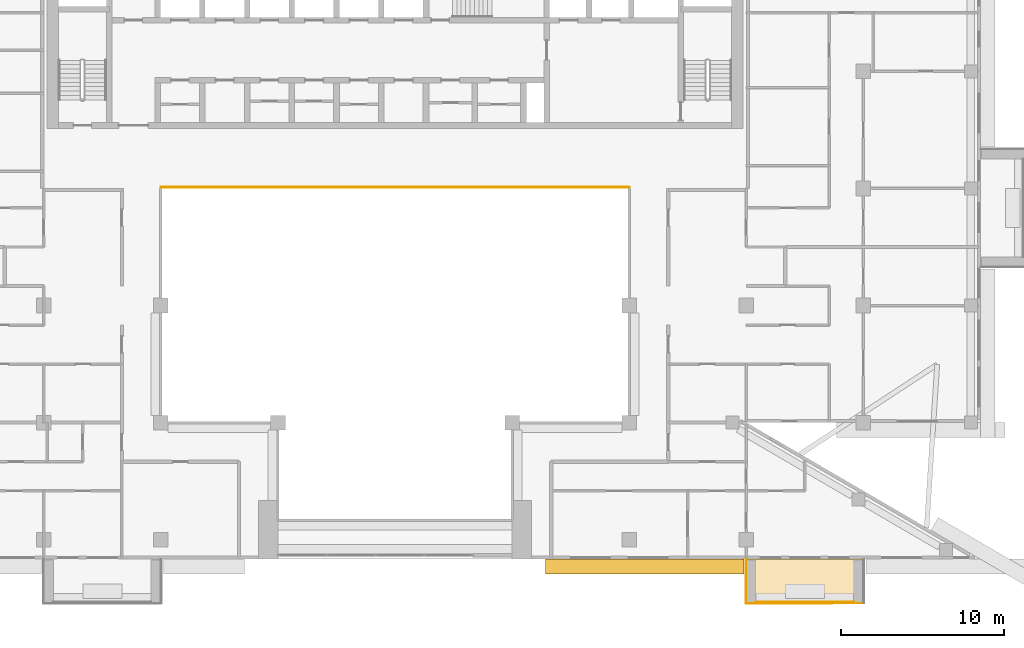
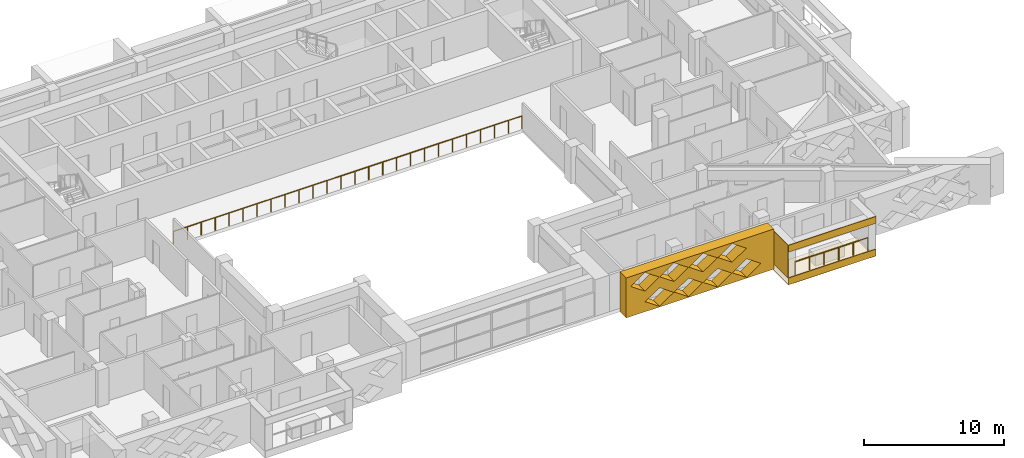
# One storey, part 16 of 20: 5 coverings, 2 railings.
"""IFC4 building model written with IfcOpenShell, lengths in metres."""

from ifc_helpers import new_model, si_unit, direction, frame, origin, origin_2d, place, context, subcontext, project, spatial, polyline, circle, outline, extrude, material, layer, layer_set, type_object, element, save


model = new_model("IFC4")

# Units and contexts
model_context = context("Model", 3, precision=1e-05, world=origin(), true_north=direction((0.0, 1.0)))
body_context = subcontext(model_context, "Body", "Model", "MODEL_VIEW")
ifc_project = project(units=[si_unit("LENGTHUNIT", "METRE"), si_unit("AREAUNIT", "SQUARE_METRE"), si_unit("VOLUMEUNIT", "CUBIC_METRE"), si_unit("PLANEANGLEUNIT", "RADIAN"), si_unit("MASSUNIT", "GRAM", prefix="KILO")], contexts=[model_context])

# Site, building, storey
site_placement = place(None, origin())
site = spatial("IfcSite", under=ifc_project, at=site_placement, CompositionType="ELEMENT")
building_placement = place(site_placement, origin())
building = spatial("IfcBuilding", under=site, at=building_placement, Name="Saffron Iwan Residences", CompositionType="ELEMENT")
storey_placement = place(building_placement, frame((0.0, 0.0, 178.0)))
storey = spatial("IfcBuildingStorey", under=building, at=storey_placement, Name="L47", CompositionType="ELEMENT", Elevation=178.0)

# Railings
ifc_material_1 = material(Name="Stainless steel 316", Category="steel")
railing_type_1 = type_object("IfcRailingType", Name="Atrium guard 1150", PredefinedType="GUARDRAIL", material=ifc_material_1)
railing_1_placement = place(storey_placement, frame((36.0, 62.47509765625, 0.0)))
element("IfcRailing", 1, at=railing_1_placement, inside=storey, type_object=railing_type_1, Name="Atrium guard L47", PredefinedType="GUARDRAIL", context=body_context, shape_type="SweptSolid", body=[
    extrude(circle(Radius=0.02392578125, at=origin_2d()), frame((0.0, 0.0, 1.1259765625), z_axis=(1.0, 0.0, 0.0), x_axis=(0.0, 1.0, 0.0)), (0.0, 0.0, 1.0), 28.800048828125),
    extrude(circle(Radius=0.02099609375, at=origin_2d()), origin(), (0.0, 0.0, 1.0), 1.101806640625),
    extrude(circle(Radius=0.02099609375, at=origin_2d()), frame((1.152099609375, 0.0, 0.0)), (0.0, 0.0, 1.0), 1.101806640625),
    extrude(circle(Radius=0.02099609375, at=origin_2d()), frame((2.303955078125, 0.0, 0.0)), (0.0, 0.0, 1.0), 1.101806640625),
    extrude(circle(Radius=0.02099609375, at=origin_2d()), frame((3.4560546875, 0.0, 0.0)), (0.0, 0.0, 1.0), 1.101806640625),
    extrude(circle(Radius=0.02099609375, at=origin_2d()), frame((4.60791015625, 0.0, 0.0)), (0.0, 0.0, 1.0), 1.101806640625),
    extrude(circle(Radius=0.02099609375, at=origin_2d()), frame((5.760009765625, 0.0, 0.0)), (0.0, 0.0, 1.0), 1.101806640625),
    extrude(circle(Radius=0.02099609375, at=origin_2d()), frame((6.912109375, 0.0, 0.0)), (0.0, 0.0, 1.0), 1.101806640625),
    extrude(circle(Radius=0.02099609375, at=origin_2d()), frame((8.06396484375, 0.0, 0.0)), (0.0, 0.0, 1.0), 1.101806640625),
    extrude(circle(Radius=0.02099609375, at=origin_2d()), frame((9.216064453125, 0.0, 0.0)), (0.0, 0.0, 1.0), 1.101806640625),
    extrude(circle(Radius=0.02099609375, at=origin_2d()), frame((10.367919921875, 0.0, 0.0)), (0.0, 0.0, 1.0), 1.101806640625),
    extrude(circle(Radius=0.02099609375, at=origin_2d()), frame((11.52001953125, 0.0, 0.0)), (0.0, 0.0, 1.0), 1.101806640625),
    extrude(circle(Radius=0.02099609375, at=origin_2d()), frame((12.672119140625, 0.0, 0.0)), (0.0, 0.0, 1.0), 1.101806640625),
    extrude(circle(Radius=0.02099609375, at=origin_2d()), frame((13.823974609375, 0.0, 0.0)), (0.0, 0.0, 1.0), 1.101806640625),
    extrude(circle(Radius=0.02099609375, at=origin_2d()), frame((14.97607421875, 0.0, 0.0)), (0.0, 0.0, 1.0), 1.101806640625),
    extrude(circle(Radius=0.02099609375, at=origin_2d()), frame((16.1279296875, 0.0, 0.0)), (0.0, 0.0, 1.0), 1.101806640625),
    extrude(circle(Radius=0.02099609375, at=origin_2d()), frame((17.280029296875, 0.0, 0.0)), (0.0, 0.0, 1.0), 1.101806640625),
    extrude(circle(Radius=0.02099609375, at=origin_2d()), frame((18.43212890625, 0.0, 0.0)), (0.0, 0.0, 1.0), 1.101806640625),
    extrude(circle(Radius=0.02099609375, at=origin_2d()), frame((19.583984375, 0.0, 0.0)), (0.0, 0.0, 1.0), 1.101806640625),
    extrude(circle(Radius=0.02099609375, at=origin_2d()), frame((20.736083984375, 0.0, 0.0)), (0.0, 0.0, 1.0), 1.101806640625),
    extrude(circle(Radius=0.02099609375, at=origin_2d()), frame((21.887939453125, 0.0, 0.0)), (0.0, 0.0, 1.0), 1.101806640625),
    extrude(circle(Radius=0.02099609375, at=origin_2d()), frame((23.0400390625, 0.0, 0.0)), (0.0, 0.0, 1.0), 1.101806640625),
    extrude(circle(Radius=0.02099609375, at=origin_2d()), frame((24.192138671875, 0.0, 0.0)), (0.0, 0.0, 1.0), 1.101806640625),
    extrude(circle(Radius=0.02099609375, at=origin_2d()), frame((25.343994140625, 0.0, 0.0)), (0.0, 0.0, 1.0), 1.101806640625),
    extrude(circle(Radius=0.02099609375, at=origin_2d()), frame((26.49609375, 0.0, 0.0)), (0.0, 0.0, 1.0), 1.101806640625),
    extrude(circle(Radius=0.02099609375, at=origin_2d()), frame((27.64794921875, 0.0, 0.0)), (0.0, 0.0, 1.0), 1.101806640625),
    extrude(circle(Radius=0.02099609375, at=origin_2d()), frame((28.800048828125, 0.0, 0.0)), (0.0, 0.0, 1.0), 1.101806640625),
])
railing_type_2 = type_object("IfcRailingType", Name="BALCONY GUARD 1150", PredefinedType="GUARDRAIL", material=ifc_material_1)
railing_2_placement = place(storey_placement, frame((72.60009765625, 36.97509765625, 0.0)))
element("IfcRailing", 2, at=railing_2_placement, inside=storey, type_object=railing_type_2, Name="Balcony guard L47 11-1", PredefinedType="GUARDRAIL", context=body_context, shape_type="SweptSolid", body=[
    extrude(circle(Radius=0.02392578125, at=origin_2d()), frame((0.0, 0.0, 1.1259765625), z_axis=(1.0, 0.0, 0.0), x_axis=(0.0, 1.0, 0.0)), (0.0, 0.0, 1.0), 6.0),
    extrude(circle(Radius=0.02099609375, at=origin_2d()), origin(), (0.0, 0.0, 1.0), 1.101806640625),
    extrude(circle(Radius=0.02099609375, at=origin_2d()), frame((1.199951171875, 0.0, 0.0)), (0.0, 0.0, 1.0), 1.101806640625),
    extrude(circle(Radius=0.02099609375, at=origin_2d()), frame((2.39990234375, 0.0, 0.0)), (0.0, 0.0, 1.0), 1.101806640625),
    extrude(circle(Radius=0.02099609375, at=origin_2d()), frame((3.60009765625, 0.0, 0.0)), (0.0, 0.0, 1.0), 1.101806640625),
    extrude(circle(Radius=0.02099609375, at=origin_2d()), frame((4.800048828125, 0.0, 0.0)), (0.0, 0.0, 1.0), 1.101806640625),
    extrude(circle(Radius=0.02099609375, at=origin_2d()), frame((6.0, 0.0, 0.0)), (0.0, 0.0, 1.0), 1.101806640625),
])

# Coverings
ifc_material_2 = material(Name="Precast concrete C40/50 white painted", Category="concrete")
ifc_layer = layer(ifc_material_2, 0.050048828125)
ifc_layer_set = layer_set([ifc_layer], Name="Precast concrete C40/50 white painted")
covering_type_1 = type_object("IfcCoveringType", Name="FRAME SKIN PRECAST WHITE 50", PredefinedType="CLADDING", material=ifc_layer_set)
for number, where, name in (
    (3, (0.0, 0.0, -0.60009765625), "Frame skin slab edge L47 11-1"),
    (4, (0.0, 0.0, 2.25), "Frame skin fascia L47 11-1"),
):
    element("IfcCovering", number, at=place(storey_placement, frame(where)), inside=storey, type_object=covering_type_1, Name=name, PredefinedType="CLADDING", context=body_context, shape_type="SweptSolid", body=[
        extrude(outline(polyline([(72.0, 36.85009765625), (79.199951171875, 36.85009765625), (79.199951171875, 36.89990234375), (72.0, 36.89990234375), (72.0, 36.85009765625)])), origin(), (0.0, 0.0, 1.0), 0.60009765625),
    ])
covering_1_placement = place(storey_placement, frame((0.0, 0.0, -0.64990234375)))
element("IfcCovering", 5, at=covering_1_placement, inside=storey, type_object=covering_type_1, Name="Frame skin soffit L47 11-1", PredefinedType="CLADDING", context=body_context, shape_type="SweptSolid", body=[
    extrude(outline(polyline([(72.0, 36.89990234375), (79.199951171875, 36.89990234375), (79.199951171875, 39.60009765625), (72.0, 39.60009765625), (72.0, 36.89990234375)])), origin(), (0.0, 0.0, 1.0), 0.0498046875),
])
covering_2_placement = place(storey_placement, origin())
element("IfcCovering", 6, at=covering_2_placement, inside=storey, type_object=covering_type_1, Name="Frame skin fin L47 11-1a", PredefinedType="CLADDING", context=body_context, shape_type="SweptSolid", body=[
    extrude(outline(polyline([(71.949951171875, 36.89990234375), (72.0, 36.89990234375), (72.0, 39.60009765625), (71.949951171875, 39.60009765625), (71.949951171875, 36.89990234375)])), origin(), (0.0, 0.0, 1.0), 2.85009765625),
])
ifc_material_3 = material(Name="Precast concrete C40/50", Category="concrete")
covering_type_2 = type_object("IfcCoveringType", Name="OUTER SKIN LATTICE SCREEN", PredefinedType="CLADDING", material=ifc_material_3)
covering_3_placement = place(storey_placement, frame((59.64990234375, 39.60009765625, -0.300048828125), z_axis=(0.0, -1.0, 0.0), x_axis=(1.0, 0.0, 0.0)))
element("IfcCovering", 7, at=covering_3_placement, inside=storey, type_object=covering_type_2, Name="OUTER SKIN lattice screen L47 F11.2", PredefinedType="CLADDING", context=body_context, shape_type="SweptSolid", body=[
    extrude(outline(polyline([(0.0, 0.0), (12.199951171875, 0.0), (12.199951171875, 3.5), (0.0, 3.5), (0.0, 0.0)]), holes=[polyline([(1.570068359375, 0.875), (2.75, 0.06005859375), (3.929931640625, 0.875), (2.75, 1.68994140625), (1.570068359375, 0.875)]), polyline([(3.969970703125, 0.875), (5.14990234375, 0.06005859375), (6.330078125, 0.875), (5.14990234375, 1.68994140625), (3.969970703125, 0.875)]), polyline([(6.3701171875, 0.875), (7.550048828125, 0.06005859375), (8.72998046875, 0.875), (7.550048828125, 1.68994140625), (6.3701171875, 0.875)]), polyline([(8.77001953125, 0.875), (9.949951171875, 0.06005859375), (11.1298828125, 0.875), (9.949951171875, 1.68994140625), (8.77001953125, 0.875)]), polyline([(0.3701171875, 2.625), (1.550048828125, 1.81005859375), (2.72998046875, 2.625), (1.550048828125, 3.43994140625), (0.3701171875, 2.625)]), polyline([(2.77001953125, 2.625), (3.949951171875, 1.81005859375), (5.1298828125, 2.625), (3.949951171875, 3.43994140625), (2.77001953125, 2.625)]), polyline([(5.169921875, 2.625), (6.35009765625, 1.81005859375), (7.530029296875, 2.625), (6.35009765625, 3.43994140625), (5.169921875, 2.625)]), polyline([(7.570068359375, 2.625), (8.75, 1.81005859375), (9.929931640625, 2.625), (8.75, 3.43994140625), (7.570068359375, 2.625)])]), origin(), (0.0, 0.0, 1.0), 0.900146484375),
])

save(model, "model.ifc")
